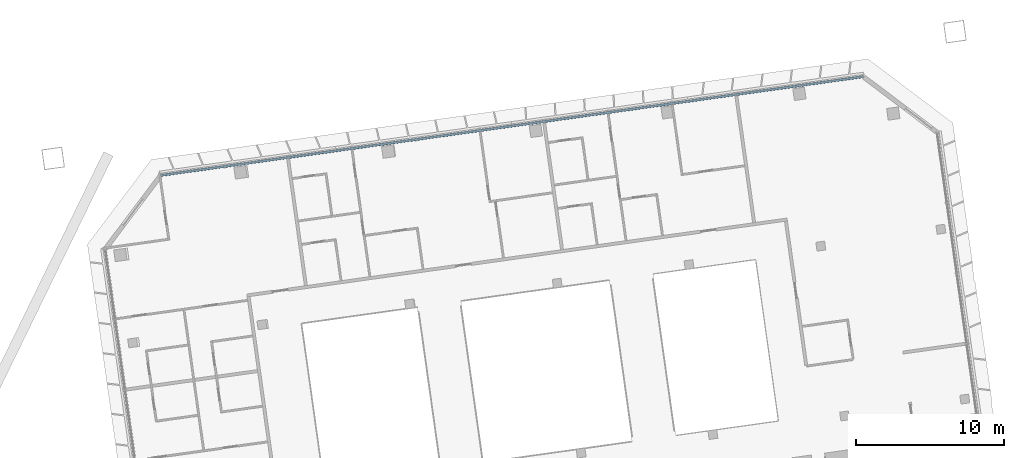
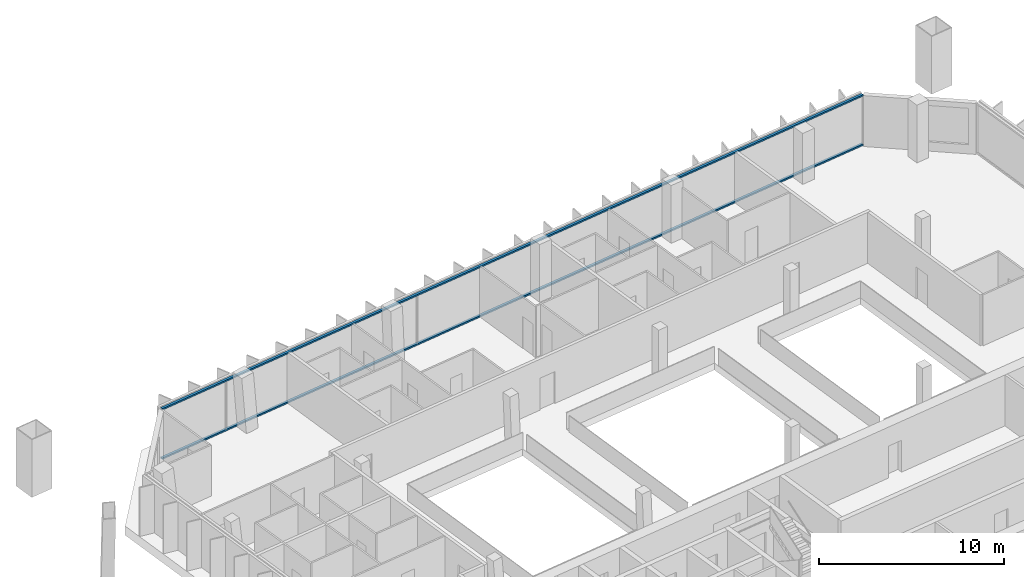
# One storey, part 13 of 26: 2 members, 1 element without a shape of its own.
"""IFC4 building model written with IfcOpenShell, lengths in metres."""

from ifc_helpers import new_model, si_unit, direction, frame, origin, origin_2d, place, context, subcontext, project, spatial, rectangle, extrude, material, material_profile, profile_set, type_object, element, aggregate, save


model = new_model("IFC4")

# Units and contexts
model_context = context("Model", 3, precision=1e-05, world=origin(), true_north=direction((0.0, 1.0)))
body_context = subcontext(model_context, "Body", "Model", "MODEL_VIEW")
ifc_project = project(units=[si_unit("LENGTHUNIT", "METRE"), si_unit("AREAUNIT", "SQUARE_METRE"), si_unit("VOLUMEUNIT", "CUBIC_METRE"), si_unit("PLANEANGLEUNIT", "RADIAN"), si_unit("MASSUNIT", "GRAM", prefix="KILO")], contexts=[model_context])

# Site, building, storey
site_placement = place(None, origin())
site = spatial("IfcSite", under=ifc_project, at=site_placement, CompositionType="ELEMENT")
building_placement = place(site_placement, origin())
building = spatial("IfcBuilding", under=site, at=building_placement, Name="Mirante Cascada Hotel Towers", CompositionType="ELEMENT")
storey_placement = place(building_placement, frame((0.0, 0.0, 203.0)))
storey = spatial("IfcBuildingStorey", under=building, at=storey_placement, Name="L48", CompositionType="ELEMENT", Elevation=203.0)

# Curtain wall, members
ifc_material_1 = material(Name="Aluminium mullion and transom frame with clear laminated glass", Category="aluminium")
curtain_wall_type = type_object("IfcCurtainWallType", Name="Ribbon curtain wall ECW1", PredefinedType="NOTDEFINED", material=ifc_material_1)
curtain_wall_placement = place(storey_placement, origin())
curtain_wall = element("IfcCurtainWall", 1, at=curtain_wall_placement, inside=storey, type_object=curtain_wall_type, Name="Front ribbon wall T2 L48", PredefinedType="NOTDEFINED")
ifc_material_2 = material(Name="Anodised aluminium extrusion", Category="aluminium")
ifc_material_profile = material_profile(ifc_material_2, rectangle(XDim=0.16, YDim=0.1, at=origin_2d()), Name="ECW1 TRANSOM 100x160")
ifc_profile_set = profile_set([ifc_material_profile], Name="Anodised aluminium extrusion")
member_type = type_object("IfcMemberType", Name="ECW1 transom 100x160", PredefinedType="USERDEFINED", material=ifc_profile_set)
member_1_placement = place(storey_placement, frame((76.3333, 23.547, 0.05), z_axis=(-0.9902679, -0.1391745, 0.0), x_axis=(0.1391745, -0.9902679, 0.0)))
member_1 = element("IfcMember", 2, at=member_1_placement, type_object=member_type, Name="ECW1 sill transom", ObjectType="TRANSOM", PredefinedType="USERDEFINED", context=body_context, shape_type="SweptSolid", body=[
    extrude(rectangle(XDim=0.16, YDim=0.1, at=origin_2d()), origin(), (0.0, 0.0, 1.0), 47.98),
])
member_2_placement = place(storey_placement, frame((76.3333, 23.547, 3.3), z_axis=(-0.9902679, -0.1391745, 0.0), x_axis=(0.1391745, -0.9902679, 0.0)))
member_2 = element("IfcMember", 3, at=member_2_placement, type_object=member_type, Name="ECW1 head transom", ObjectType="TRANSOM", PredefinedType="USERDEFINED", context=body_context, shape_type="SweptSolid", body=[
    extrude(rectangle(XDim=0.16, YDim=0.1, at=origin_2d()), origin(), (0.0, 0.0, 1.0), 47.98),
])
aggregate(curtain_wall, [member_1, member_2])

save(model, "model.ifc")
